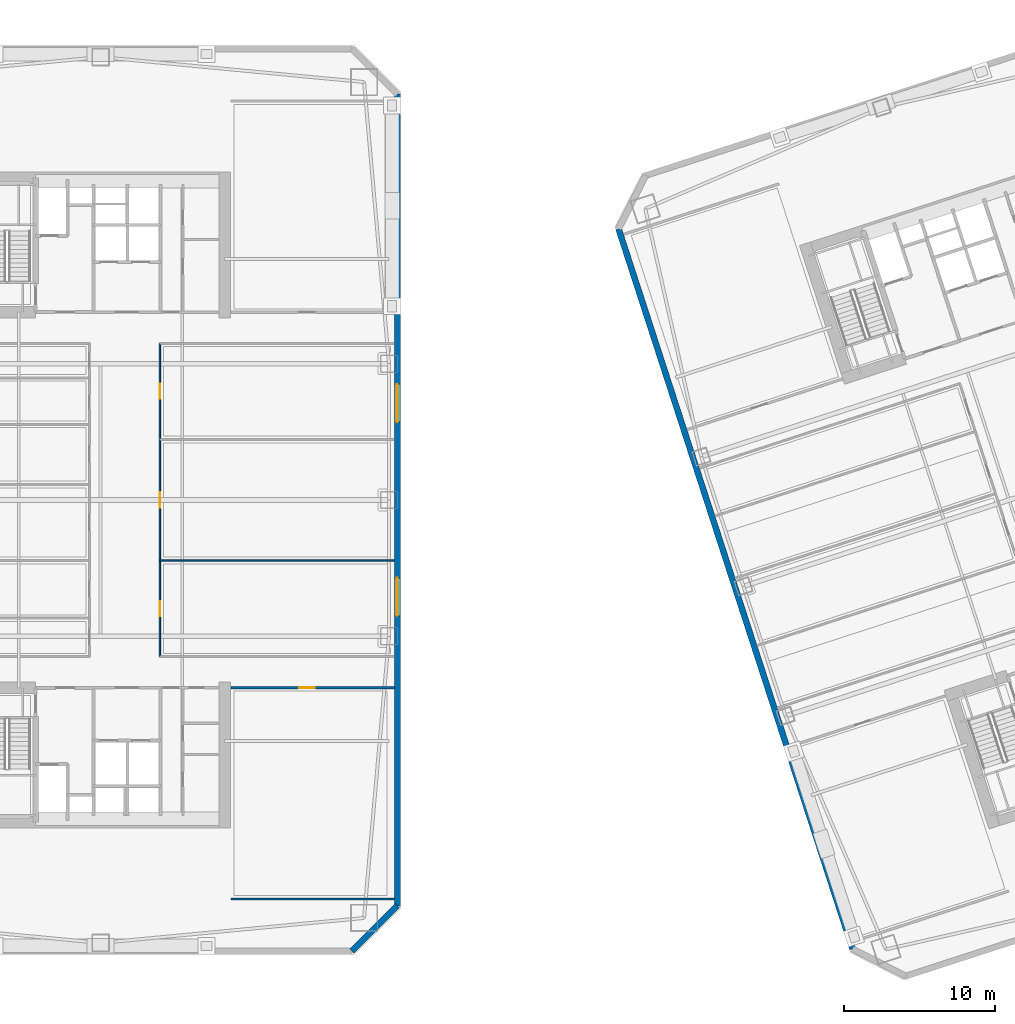
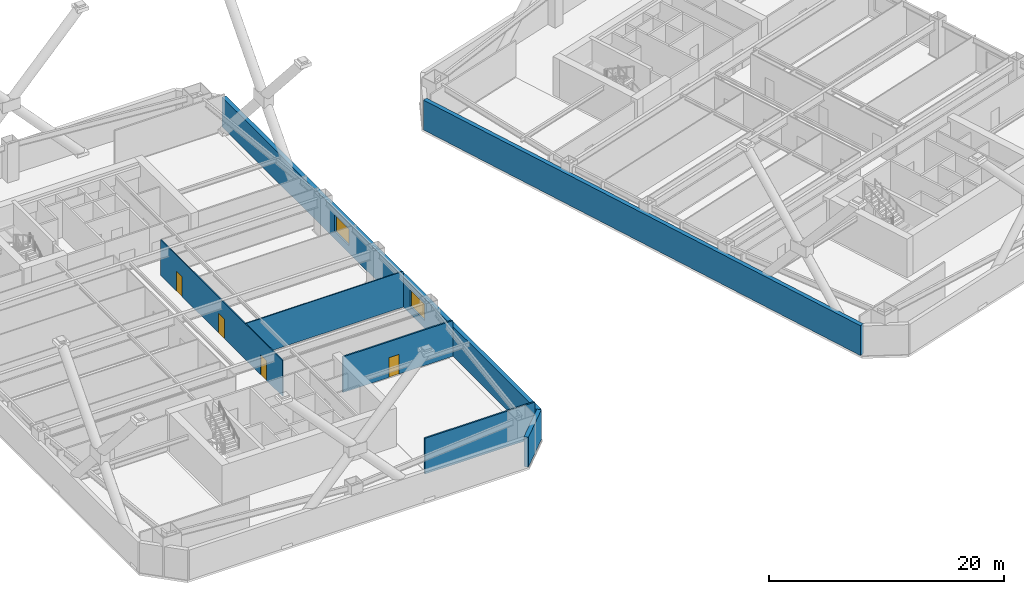
# One storey, part 5 of 18: 7 walls, 4 doors, 2 windows, 6 openings.
"""IFC4 building model written with IfcOpenShell, lengths in metres."""

from ifc_helpers import new_model, si_unit, direction, frame, frame_2d, origin, place, context, subcontext, project, spatial, rectangle, extrude, material, layer, layer_set, type_object, element, fill, save


model = new_model("IFC4")

# Units and contexts
model_context = context("Model", 3, precision=1e-05, world=origin(), true_north=direction((0.0, 1.0)))
body_context = subcontext(model_context, "Body", "Model", "MODEL_VIEW")
ifc_project = project(units=[si_unit("LENGTHUNIT", "METRE"), si_unit("AREAUNIT", "SQUARE_METRE"), si_unit("VOLUMEUNIT", "CUBIC_METRE"), si_unit("PLANEANGLEUNIT", "RADIAN"), si_unit("MASSUNIT", "GRAM", prefix="KILO")], contexts=[model_context])

# Site, building, storey
site_placement = place(None, origin())
site = spatial("IfcSite", under=ifc_project, at=site_placement, CompositionType="ELEMENT")
building_placement = place(site_placement, origin())
building = spatial("IfcBuilding", under=site, at=building_placement, Name="Qiaolan Cultural Towers", CompositionType="ELEMENT")
storey_placement = place(building_placement, frame((0.0, 0.0, 42.0)))
storey = spatial("IfcBuildingStorey", under=building, at=storey_placement, Name="L09", CompositionType="ELEMENT", Elevation=42.0)

# Wall, openings, windows
ifc_material_1 = material(Name="Precast Concrete C50 Honed Stone Pier", Category="masonry")
ifc_layer_1 = layer(ifc_material_1, 0.39990234375)
ifc_layer_set_1 = layer_set([ifc_layer_1], Name="Precast Concrete C50 Honed Stone Pier")
wall_type_1 = type_object("IfcWallType", Name="WL-EXT-PIER-400", PredefinedType="SOLIDWALL", material=ifc_layer_set_1)
wall_1_placement = place(storey_placement, frame((49.60009765625, 60.800048828125, 0.0), z_axis=(0.0, 0.0, 1.0), x_axis=(0.0, -1.0, 0.0)))
wall_1 = element("IfcWall", 1, at=wall_1_placement, inside=storey, type_object=wall_type_1, Name="L09 West Tower Precast Pier Facade Wall F5", PredefinedType="SOLIDWALL", context=body_context, shape_type="SweptSolid", body=[
    extrude(rectangle(XDim=53.60009765625, YDim=0.39990234375, at=frame_2d((26.800048828125, 0.0))), origin(), (0.0, 0.0, 1.0), 3.10009765625),
])
opening_1_placement = place(wall_1_placement, frame((31.949951171875, 0.0, 0.75)))
opening_1 = element("IfcOpeningElement", 2, at=opening_1_placement, cuts=wall_1, Name="Opening W-01", PredefinedType="OPENING", context=body_context, shape_type="SweptSolid", body=[
    extrude(rectangle(XDim=2.5, YDim=1.75, at=frame_2d((1.25, 0.875))), frame((0.0, 0.2099609375, 0.0), z_axis=(0.0, -1.0, 0.0), x_axis=(1.0, 0.0, 0.0)), (0.0, 0.0, 1.0), 0.419921875),
])
opening_2_placement = place(wall_1_placement, frame((19.14990234375, 0.0, 0.75)))
opening_2 = element("IfcOpeningElement", 3, at=opening_2_placement, cuts=wall_1, Name="Opening W-01", PredefinedType="OPENING", context=body_context, shape_type="SweptSolid", body=[
    extrude(rectangle(XDim=2.5, YDim=1.75, at=frame_2d((1.25, 0.875))), frame((0.0, 0.2099609375, 0.0), z_axis=(0.0, -1.0, 0.0), x_axis=(1.0, 0.0, 0.0)), (0.0, 0.0, 1.0), 0.419921875),
])
ifc_material_2 = material(Name="Thermally Broken Aluminium Triple Low-E Glazing", Category="aluminium")
window_type = type_object("IfcWindowType", Name="WN-CHIC-2500", PartitioningType="SINGLE_PANEL", PredefinedType="WINDOW", material=ifc_material_2)
window_1_placement = place(opening_1_placement, origin())
window_1 = element("IfcWindow", 4, at=window_1_placement, inside=storey, type_object=window_type, Name="L09 T1 E Chicago Bay Window 1", OverallHeight=1.75, OverallWidth=2.5, PartitioningType="TRIPLE_PANEL_VERTICAL", PredefinedType="WINDOW", context=body_context, shape_type="SweptSolid", body=[
    extrude(rectangle(XDim=2.5, YDim=1.75, at=frame_2d((1.25, 0.875))), frame((0.0, 0.030029296875, 0.0), z_axis=(0.0, -1.0, 0.0), x_axis=(1.0, 0.0, 0.0)), (0.0, 0.0, 1.0), 0.06005859375),
])
fill(opening_1, window_1)
window_2_placement = place(opening_2_placement, origin())
window_2 = element("IfcWindow", 5, at=window_2_placement, inside=storey, type_object=window_type, Name="L09 T1 E Chicago Bay Window 2", OverallHeight=1.75, OverallWidth=2.5, PartitioningType="TRIPLE_PANEL_VERTICAL", PredefinedType="WINDOW", context=body_context, shape_type="SweptSolid", body=[
    extrude(rectangle(XDim=2.5, YDim=1.75, at=frame_2d((1.25, 0.875))), frame((0.0, 0.030029296875, 0.0), z_axis=(0.0, -1.0, 0.0), x_axis=(1.0, 0.0, 0.0)), (0.0, 0.0, 1.0), 0.06005859375),
])
fill(opening_2, window_2)

# Walls
wall_2_placement = place(storey_placement, frame((49.60009765625, 7.199951171875, 0.0), z_axis=(0.0, 0.0, 1.0), x_axis=(-0.707106781187, -0.707106781187, 0.0)))
element("IfcWall", 6, at=wall_2_placement, inside=storey, type_object=wall_type_1, Name="L09 West Tower Precast Pier Facade Wall F6", PredefinedType="SOLIDWALL", context=body_context, shape_type="SweptSolid", body=[
    extrude(rectangle(XDim=4.24267578125, YDim=0.39990234375, at=frame_2d((2.121337890625, 0.0))), origin(), (0.0, 0.0, 1.0), 3.10009765625),
])
wall_3_placement = place(storey_placement, frame((79.6552734375, 4.352294921875, 0.0), z_axis=(0.0, 0.0, 1.0), x_axis=(-0.309014526607, 0.951057318118, 0.0)))
element("IfcWall", 7, at=wall_3_placement, inside=storey, type_object=wall_type_1, Name="L09 East Tower Precast Pier Facade Wall F1", PredefinedType="SOLIDWALL", context=body_context, shape_type="SweptSolid", body=[
    extrude(rectangle(XDim=49.999755859375, YDim=0.39990234375, at=frame_2d((25.0, 0.0))), origin(), (0.0, 0.0, 1.0), 3.10009765625),
])

# Wall, openings, doors
ifc_material_3 = material(Name="Acoustic Double-Glazed Partition Frame", Category="glass")
ifc_layer_2 = layer(ifc_material_3, 0.10009765625)
ifc_layer_set_2 = layer_set([ifc_layer_2], Name="Acoustic Double-Glazed Partition Frame")
wall_type_2 = type_object("IfcWallType", Name="WL-GLAZED-100", PredefinedType="MOVABLE", material=ifc_layer_set_2)
wall_4_placement = place(storey_placement, frame((33.925048828125, 23.64990234375, 0.0), z_axis=(0.0, 0.0, 1.0), x_axis=(0.0, 1.0, 0.0)))
wall_4 = element("IfcWall", 8, at=wall_4_placement, inside=storey, type_object=wall_type_2, Name="L09 T1 East Spine Wall", PredefinedType="MOVABLE", context=body_context, shape_type="SweptSolid", body=[
    extrude(rectangle(XDim=20.7001953125, YDim=0.10009765625, at=frame_2d((10.35009765625, 0.0))), origin(), (0.0, 0.0, 1.0), 3.705078125),
])
opening_3_placement = place(wall_4_placement, frame((2.675048828125, 0.0, 0.0)))
opening_3 = element("IfcOpeningElement", 9, at=opening_3_placement, cuts=wall_4, Name="Opening ID-04", PredefinedType="OPENING", context=body_context, shape_type="SweptSolid", body=[
    extrude(rectangle(XDim=1.0, YDim=2.050048828125, at=frame_2d((0.5, 1.02490234375))), frame((0.0, 0.06005859375, 0.0), z_axis=(0.0, -1.0, 0.0), x_axis=(1.0, 0.0, 0.0)), (0.0, 0.0, 1.0), 0.1201171875),
])
opening_4_placement = place(wall_4_placement, frame((9.85009765625, 0.0, 0.0)))
opening_4 = element("IfcOpeningElement", 10, at=opening_4_placement, cuts=wall_4, Name="Opening ID-04", PredefinedType="OPENING", context=body_context, shape_type="SweptSolid", body=[
    extrude(rectangle(XDim=1.0, YDim=2.050048828125, at=frame_2d((0.5, 1.02490234375))), frame((0.0, 0.06005859375, 0.0), z_axis=(0.0, -1.0, 0.0), x_axis=(1.0, 0.0, 0.0)), (0.0, 0.0, 1.0), 0.1201171875),
])
opening_5_placement = place(wall_4_placement, frame((17.02490234375, 0.0, 0.0)))
opening_5 = element("IfcOpeningElement", 11, at=opening_5_placement, cuts=wall_4, Name="Opening ID-04", PredefinedType="OPENING", context=body_context, shape_type="SweptSolid", body=[
    extrude(rectangle(XDim=1.0, YDim=2.050048828125, at=frame_2d((0.5, 1.02490234375))), frame((0.0, 0.06005859375, 0.0), z_axis=(0.0, -1.0, 0.0), x_axis=(1.0, 0.0, 0.0)), (0.0, 0.0, 1.0), 0.1201171875),
])
ifc_material_4 = material(Name="Oak Veneer Acoustic Office Door", Category="timber")
door_type = type_object("IfcDoorType", Name="DR-INT-1000", OperationType="NOTDEFINED", PredefinedType="DOOR", material=ifc_material_4)
door_1_placement = place(opening_3_placement, origin())
door_1 = element("IfcDoor", 12, at=door_1_placement, inside=storey, type_object=door_type, Name="L09 T1 Cultural Bookstore Gallery Door", OperationType="SINGLE_SWING_RIGHT", OverallHeight=2.050048828125, OverallWidth=1.0, PredefinedType="DOOR", context=body_context, shape_type="SweptSolid", body=[
    extrude(rectangle(XDim=1.0, YDim=2.050048828125, at=frame_2d((0.5, 1.02490234375))), frame((0.0, 0.02490234375, 0.0), z_axis=(0.0, -1.0, 0.0), x_axis=(1.0, 0.0, 0.0)), (0.0, 0.0, 1.0), 0.050048828125),
])
fill(opening_3, door_1)
door_2_placement = place(opening_4_placement, origin())
door_2 = element("IfcDoor", 13, at=door_2_placement, inside=storey, type_object=door_type, Name="L09 T1 Design Archive Studio Door", OperationType="SINGLE_SWING_LEFT", OverallHeight=2.050048828125, OverallWidth=1.0, PredefinedType="DOOR", context=body_context, shape_type="SweptSolid", body=[
    extrude(rectangle(XDim=1.0, YDim=2.050048828125, at=frame_2d((0.5, 1.02490234375))), frame((0.0, 0.02490234375, 0.0), z_axis=(0.0, -1.0, 0.0), x_axis=(1.0, 0.0, 0.0)), (0.0, 0.0, 1.0), 0.050048828125),
])
fill(opening_4, door_2)
door_3_placement = place(opening_5_placement, origin())
door_3 = element("IfcDoor", 14, at=door_3_placement, inside=storey, type_object=door_type, Name="L09 T1 Staff Dining Kitchen Door", OperationType="SINGLE_SWING_RIGHT", OverallHeight=2.050048828125, OverallWidth=1.0, PredefinedType="DOOR", context=body_context, shape_type="SweptSolid", body=[
    extrude(rectangle(XDim=1.0, YDim=2.050048828125, at=frame_2d((0.5, 1.02490234375))), frame((0.0, 0.02490234375, 0.0), z_axis=(0.0, -1.0, 0.0), x_axis=(1.0, 0.0, 0.0)), (0.0, 0.0, 1.0), 0.050048828125),
])
fill(opening_5, door_3)

# Walls
wall_5_placement = place(storey_placement, frame((33.925048828125, 30.0, 0.0), z_axis=(0.0, 0.0, 1.0), x_axis=(1.0, 0.0, 0.0)))
element("IfcWall", 15, at=wall_5_placement, inside=storey, type_object=wall_type_2, Name="L09 T1 East Partition 1", PredefinedType="MOVABLE", context=body_context, shape_type="SweptSolid", body=[
    extrude(rectangle(XDim=15.474853515625, YDim=0.10009765625, at=frame_2d((7.7373046875, 0.0))), origin(), (0.0, 0.0, 1.0), 3.705078125),
])
ifc_material_5 = material(Name="Autoclaved Aerated Concrete Block B06", Category="concrete")
ifc_layer_3 = layer(ifc_material_5, 0.14990234375)
ifc_layer_set_3 = layer_set([ifc_layer_3], Name="Autoclaved Aerated Concrete Block B06")
wall_type_3 = type_object("IfcWallType", Name="WL-PART-150", PredefinedType="PARTITIONING", material=ifc_layer_set_3)
wall_6_placement = place(storey_placement, frame((38.60009765625, 7.64990234375, 0.0), z_axis=(0.0, 0.0, 1.0), x_axis=(1.0, 0.0, 0.0)))
element("IfcWall", 16, at=wall_6_placement, inside=storey, type_object=wall_type_3, Name="L09 T1 Flank Wall FLK-SE", PredefinedType="PARTITIONING", context=body_context, shape_type="SweptSolid", body=[
    extrude(rectangle(XDim=10.7998046875, YDim=0.14990234375, at=frame_2d((5.39990234375, 0.0))), origin(), (0.0, 0.0, 1.0), 3.705078125),
])

# Wall, opening, door
wall_7_placement = place(storey_placement, frame((38.60009765625, 21.60009765625, 0.0), z_axis=(0.0, 0.0, 1.0), x_axis=(1.0, 0.0, 0.0)))
wall_7 = element("IfcWall", 17, at=wall_7_placement, inside=storey, type_object=wall_type_3, Name="L09 T1 Flank Front FLK-SE", PredefinedType="PARTITIONING", context=body_context, shape_type="SweptSolid", body=[
    extrude(rectangle(XDim=10.7998046875, YDim=0.14990234375, at=frame_2d((5.39990234375, 0.0))), origin(), (0.0, 0.0, 1.0), 3.705078125),
])
opening_6_placement = place(wall_7_placement, frame((4.535888671875, 0.0, 0.0)))
opening_6 = element("IfcOpeningElement", 18, at=opening_6_placement, cuts=wall_7, Name="Opening ID-04", PredefinedType="OPENING", context=body_context, shape_type="SweptSolid", body=[
    extrude(rectangle(XDim=1.0, YDim=2.050048828125, at=frame_2d((0.5, 1.02490234375))), frame((0.0, 0.0849609375, 0.0), z_axis=(0.0, -1.0, 0.0), x_axis=(1.0, 0.0, 0.0)), (0.0, 0.0, 1.0), 0.169921875),
])
door_4_placement = place(opening_6_placement, origin())
door_4 = element("IfcDoor", 19, at=door_4_placement, inside=storey, type_object=door_type, Name="L09 T1 Corner Studio Door", OperationType="SINGLE_SWING_LEFT", OverallHeight=2.050048828125, OverallWidth=1.0, PredefinedType="DOOR", context=body_context, shape_type="SweptSolid", body=[
    extrude(rectangle(XDim=1.0, YDim=2.050048828125, at=frame_2d((0.5, 1.02490234375))), frame((0.0, 0.02490234375, 0.0), z_axis=(0.0, -1.0, 0.0), x_axis=(1.0, 0.0, 0.0)), (0.0, 0.0, 1.0), 0.050048828125),
])
fill(opening_6, door_4)

save(model, "model.ifc")
